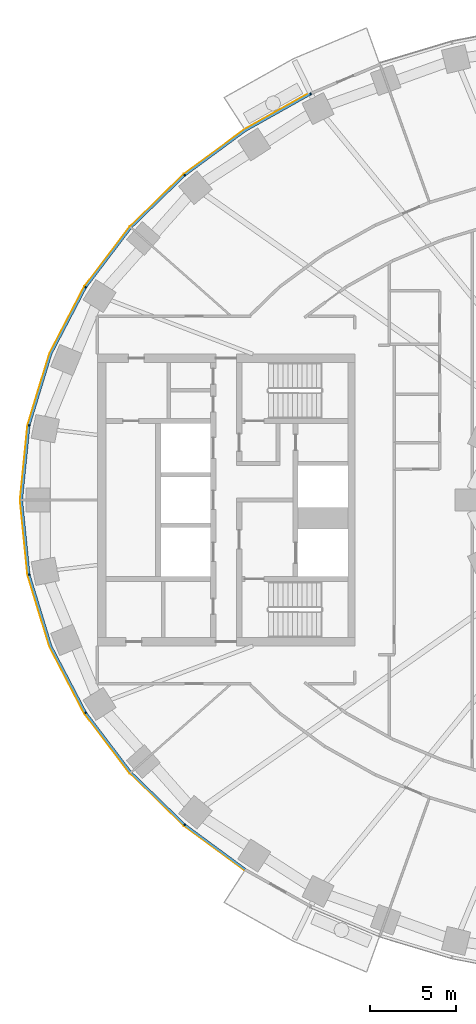
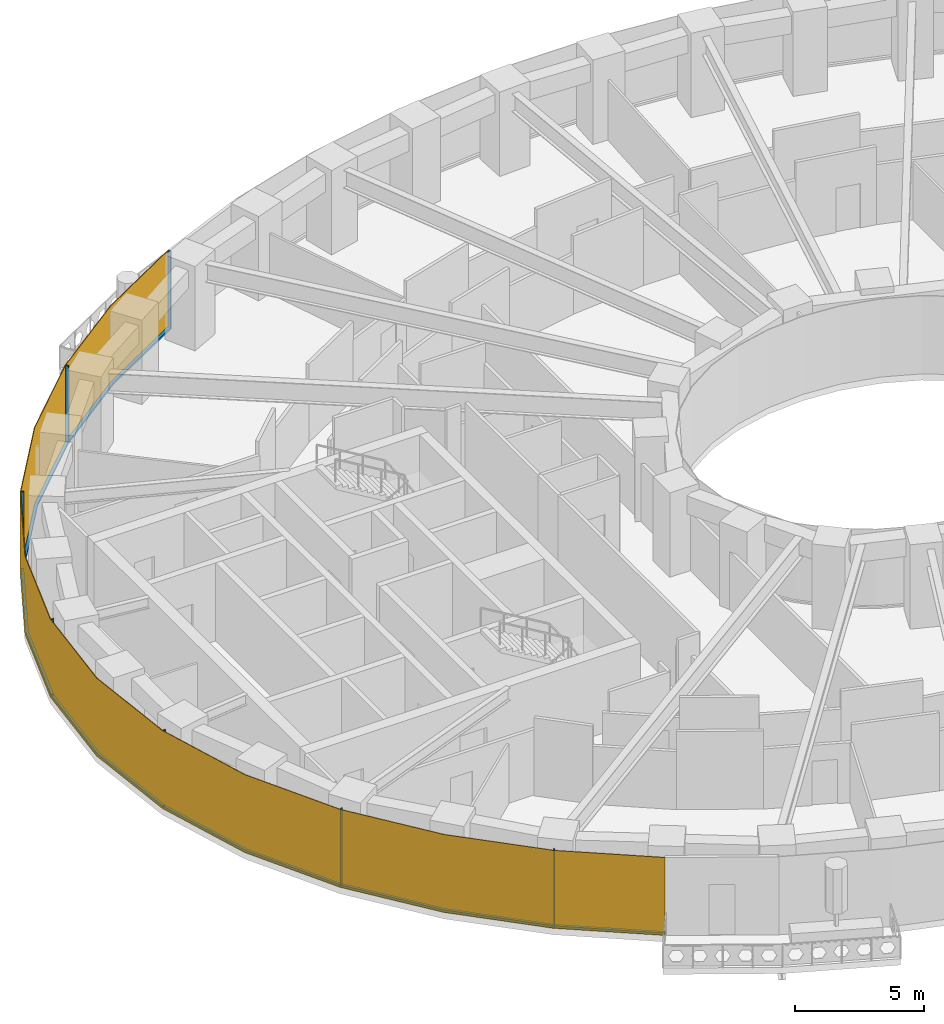
# One storey, part 9 of 16: 14 members, 1 curtain wall.
"""IFC4 building model written with IfcOpenShell, lengths in metres."""

import ifcopenshell
import ifcopenshell.guid

model = None  # the IFC model being written
_history = None  # IfcOwnerHistory: only IFC2X3 demands one
_inside = {}  # id of a spatial element -> (the spatial element, [elements in it])
_under = {}  # id of a project, library or spatial element -> (it, [spatial elements below it])
_declared = {}  # id of a project -> (the project, [libraries it declares])
_typed = {}  # id of a type object -> (the type object, [elements of that type])
_made_of = {}  # id of a material, layer set ... -> (it, [elements and type objects made of it])


def new_model(schema):
    """Start an empty IFC model of exactly this schema.

    Asked for "IFC4X3", IfcOpenShell would pick the latest addendum, in which some entities
    have other attributes; the version numbers below select the first issue.
    IFC2X3 requires an IfcOwnerHistory on every rooted entity: one is made here for all.
    """
    global model, _history
    if schema == "IFC4X3":
        model = ifcopenshell.file(schema_version=(4, 3, 0, 0))
    else:
        model = ifcopenshell.file(schema=schema)
    _inside.clear()
    _under.clear()
    _declared.clear()
    _typed.clear()
    _made_of.clear()
    _history = None
    if model.schema == "IFC2X3":
        org = make("IfcOrganization", Name="unknown")
        user = make(
            "IfcPersonAndOrganization",
            ThePerson=make("IfcPerson", FamilyName="unknown"),
            TheOrganization=org,
        )
        app = make(
            "IfcApplication",
            ApplicationDeveloper=org,
            Version="unknown",
            ApplicationFullName="unknown",
            ApplicationIdentifier="unknown",
        )
        _history = make(
            "IfcOwnerHistory",
            OwningUser=user,
            OwningApplication=app,
            ChangeAction="ADDED",
            CreationDate=0,
        )
    return model


def make(cls, **values):
    """One entity of the class cls with the attributes given. An attribute that is None is left unset."""
    return model.create_entity(
        cls, **{name: value for name, value in values.items() if value is not None}
    )


def rooted(cls, **values):
    """An entity with a GlobalId (a new one), such as an element, a storey or a relation."""
    return make(cls, GlobalId=ifcopenshell.guid.new(), OwnerHistory=_history, **values)


def si_unit(unit_type, name, prefix=None):
    """IfcSIUnit, for example si_unit("LENGTHUNIT", "METRE", prefix="MILLI")."""
    return make("IfcSIUnit", UnitType=unit_type, Prefix=prefix, Name=name)


def assignment(units):
    """IfcUnitAssignment: the units of a project."""
    return None if units is None else make("IfcUnitAssignment", Units=units)


def point(xyz):
    """IfcCartesianPoint."""
    return None if xyz is None else make("IfcCartesianPoint", Coordinates=xyz)


def direction(xyz):
    """IfcDirection."""
    return None if xyz is None else make("IfcDirection", DirectionRatios=xyz)


def frame(location, z_axis=None, x_axis=None):
    """IfcAxis2Placement3D, a coordinate frame: its origin and axes. An axis left out is left unset."""
    return make(
        "IfcAxis2Placement3D",
        Location=point(location),
        Axis=direction(z_axis),
        RefDirection=direction(x_axis),
    )


def frame_2d(location, x_axis=None):
    """IfcAxis2Placement2D, a coordinate frame in the plane: its origin and x axis."""
    return make(
        "IfcAxis2Placement2D", Location=point(location), RefDirection=direction(x_axis)
    )


def origin():
    """The frame at (0, 0, 0) with its axes left unset."""
    return frame((0.0, 0.0, 0.0))


def origin_2d():
    """The frame at (0, 0) in the plane with its x axis left unset."""
    return frame_2d((0.0, 0.0))


def place(relative_to, where):
    """IfcLocalPlacement: puts the frame where relative to a parent placement (None: the world)."""
    return make(
        "IfcLocalPlacement", PlacementRelTo=relative_to, RelativePlacement=where
    )


def context(
    kind, dimensions, precision=None, world=None, true_north=None, identifier=None
):
    """IfcGeometricRepresentationContext, for example the 3D "Model" context."""
    return make(
        "IfcGeometricRepresentationContext",
        ContextIdentifier=identifier,
        ContextType=kind,
        CoordinateSpaceDimension=dimensions,
        Precision=precision,
        WorldCoordinateSystem=world,
        TrueNorth=true_north,
    )


def subcontext(parent, identifier, kind, view, scale=None):
    """IfcGeometricRepresentationSubContext, for example "Body" below "Model"."""
    return make(
        "IfcGeometricRepresentationSubContext",
        ContextIdentifier=identifier,
        ContextType=kind,
        ParentContext=parent,
        TargetScale=scale,
        TargetView=view,
    )


def project(units=None, contexts=None):
    """IfcProject with its units and contexts."""
    return rooted(
        "IfcProject",
        Name="project",
        RepresentationContexts=contexts,
        UnitsInContext=assignment(units),
    )


def spatial(cls, under=None, at=None, **own):
    """A site, building, storey or space (cls), placed at a placement, below another one or the project."""
    s = rooted(cls, ObjectPlacement=at, **own)
    if under is not None:
        _under.setdefault(under.id(), (under, []))[1].append(s)
    return s


def polyline(points):
    """IfcPolyline through the points."""
    return make("IfcPolyline", Points=[point(p) for p in points])


def profile(cls, at=None, kind="AREA", **sizes):
    """A parametric profile (cls). Its sizes go by their IFC names, for example OverallWidth=200.0."""
    return make(cls, ProfileType=kind, Position=at, **sizes)


def rectangle(**sizes):
    """IfcRectangleProfileDef."""
    return profile("IfcRectangleProfileDef", **sizes)


def outline(outer, holes=None, kind="AREA"):
    """IfcArbitraryClosedProfileDef: a profile drawn as a closed curve; with holes, ...WithVoids."""
    if holes is None:
        return make("IfcArbitraryClosedProfileDef", ProfileType=kind, OuterCurve=outer)
    return make(
        "IfcArbitraryProfileDefWithVoids",
        ProfileType=kind,
        OuterCurve=outer,
        InnerCurves=holes,
    )


def extrude(swept, where, along, depth):
    """IfcExtrudedAreaSolid: the profile swept, set in the frame where, extruded along a direction by depth."""
    return make(
        "IfcExtrudedAreaSolid",
        SweptArea=swept,
        Position=where,
        ExtrudedDirection=direction(along),
        Depth=depth,
    )


def shape(context_of_items, identifier, shape_type, items):
    """IfcShapeRepresentation: the items that make up one representation, for example the "Body"."""
    return make(
        "IfcShapeRepresentation",
        ContextOfItems=context_of_items,
        RepresentationIdentifier=identifier,
        RepresentationType=shape_type,
        Items=items,
    )


def material(Name=None, Category=None):
    """IfcMaterial."""
    return make("IfcMaterial", Name=Name, Category=Category)


def layer(
    of_material, thickness, ventilated=None, Name=None, Category=None, Priority=None
):
    """IfcMaterialLayer: one layer of a wall or slab, of a material (None: an air gap)."""
    return make(
        "IfcMaterialLayer",
        Material=of_material,
        LayerThickness=thickness,
        IsVentilated=ventilated,
        Name=Name,
        Category=Category,
        Priority=Priority,
    )


def layer_set(layers, Name=None):
    """IfcMaterialLayerSet."""
    return make("IfcMaterialLayerSet", MaterialLayers=layers, LayerSetName=Name)


def material_profile(
    of_material, cross_section, Name=None, Category=None, Priority=None
):
    """IfcMaterialProfile: a cross section and its material."""
    return make(
        "IfcMaterialProfile",
        Name=Name,
        Material=of_material,
        Profile=cross_section,
        Priority=Priority,
        Category=Category,
    )


def profile_set(profiles, Name=None, composite=None):
    """IfcMaterialProfileSet."""
    return make(
        "IfcMaterialProfileSet",
        Name=Name,
        MaterialProfiles=profiles,
        CompositeProfile=composite,
    )


def made_of(thing, what):
    """Note that an element or type object is made of a material, layer set ...; save() writes the relation."""
    if what is not None:
        _made_of.setdefault(what.id(), (what, []))[1].append(thing)
    return thing


def type_object(cls, material=None, **own):
    """A type object (cls), such as IfcWallType, which elements share."""
    return made_of(rooted(cls, **own), material)


def element(
    cls,
    number,
    at=None,
    inside=None,
    cuts=None,
    type_object=None,
    material=None,
    context=None,
    identifier="Body",
    shape_type=None,
    held_by="IfcProductDefinitionShape",
    body=None,
    shapes=None,
    **own,
):
    """One element of the class cls, such as IfcWall. Its Tag is "e" and its number.

    at: its placement. inside: the storey or other place that contains it. cuts: it is an
    opening in that element (IfcRelVoidsElement). A single representation is given by context,
    identifier, shape_type and body (its items); several are given by shapes. held_by: the class
    of the entity that holds the representations. save() writes the other relations.
    """
    e = rooted(cls, Tag="e%d" % number, ObjectPlacement=at, **own)
    if body is not None:
        shapes = [shape(context, identifier, shape_type, body)]
    if shapes is not None:
        e.Representation = make(held_by, Representations=shapes)
    if inside is not None:
        _inside.setdefault(inside.id(), (inside, []))[1].append(e)
    if cuts is not None:
        rooted(
            "IfcRelVoidsElement", RelatingBuildingElement=cuts, RelatedOpeningElement=e
        )
    if type_object is not None:
        _typed.setdefault(type_object.id(), (type_object, []))[1].append(e)
    return made_of(e, material)


def aggregate(whole, parts):
    """IfcRelAggregates: a whole, such as a stair, and the parts it consists of."""
    return rooted("IfcRelAggregates", RelatingObject=whole, RelatedObjects=parts)


def save(model, path):
    """Write the relations noted so far, then the file.

    IfcRelAggregates (storeys below a building ...), IfcRelContainedInSpatialStructure (elements
    in a storey), IfcRelDefinesByType, IfcRelAssociatesMaterial and IfcRelDeclares: one each for
    every whole, place, type object, material and project.
    """
    for whole, parts in _under.values():
        aggregate(whole, parts)
    for where, things in _inside.values():
        rooted(
            "IfcRelContainedInSpatialStructure",
            RelatedElements=things,
            RelatingStructure=where,
        )
    for kind, things in _typed.values():
        rooted("IfcRelDefinesByType", RelatedObjects=things, RelatingType=kind)
    for what, things in _made_of.values():
        rooted("IfcRelAssociatesMaterial", RelatedObjects=things, RelatingMaterial=what)
    for by, libraries in _declared.values():
        rooted("IfcRelDeclares", RelatingContext=by, RelatedDefinitions=libraries)
    model.write(path)


model = new_model("IFC4")

# Units and contexts
model_context = context("Model", 3, precision=1e-05, world=origin(), true_north=direction((0.0, 1.0)))
body_context = subcontext(model_context, "Body", "Model", "MODEL_VIEW")
ifc_project = project(units=[si_unit("LENGTHUNIT", "METRE"), si_unit("AREAUNIT", "SQUARE_METRE"), si_unit("VOLUMEUNIT", "CUBIC_METRE"), si_unit("PLANEANGLEUNIT", "RADIAN"), si_unit("MASSUNIT", "GRAM", prefix="KILO")], contexts=[model_context])

# Member
ifc_material_1 = material(Name="Aluminium 6063-T6 black anodised", Category="aluminium")
ifc_material_profile = material_profile(ifc_material_1, rectangle(XDim=0.1201171875, YDim=0.06005859375, at=origin_2d()), Name="120x60")
ifc_profile_set = profile_set([ifc_material_profile], Name="Aluminium 6063-T6 black anodised")
member_type_1 = type_object("IfcMemberType", Name="ENV-MULLION-A-120", PredefinedType="MULLION", material=ifc_profile_set)
site_placement = place(None, origin())
building_placement = place(site_placement, origin())
storey_placement = place(building_placement, frame((0.0, 0.0, 74.5)))
member_1_placement = place(storey_placement, frame((-19.06787109375, 23.6474609375, 0.0), z_axis=(0.0, 0.0, 1.0), x_axis=(0.439237769837, -0.898370848563, 0.0)))
member_1 = element("IfcMember", 1, at=member_1_placement, type_object=member_type_1, Name="Mullion A radial 17", PredefinedType="MULLION", context=body_context, shape_type="SweptSolid", body=[
    extrude(rectangle(XDim=0.1201171875, YDim=0.06005859375, at=origin_2d()), origin(), (0.0, 0.0, 1.0), 3.699951171875),
])

member_2_placement = place(storey_placement, frame((-26.403564453125, 18.9130859375, 0.0), z_axis=(0.0, 0.0, 1.0), x_axis=(0.646451313783, -0.762955240435, 0.0)))
member_2 = element("IfcMember", 2, at=member_2_placement, type_object=member_type_1, Name="Mullion A radial 19", PredefinedType="MULLION", context=body_context, shape_type="SweptSolid", body=[
    extrude(rectangle(XDim=0.1201171875, YDim=0.06005859375, at=origin_2d()), origin(), (0.0, 0.0, 1.0), 3.699951171875),
])

member_3_placement = place(storey_placement, frame((-32.177490234375, 12.385498046875, 0.0), z_axis=(0.0, 0.0, 1.0), x_axis=(0.844829880882, -0.53503501976, 0.0)))
member_3 = element("IfcMember", 3, at=member_3_placement, type_object=member_type_1, Name="Mullion A radial 21", PredefinedType="MULLION", context=body_context, shape_type="SweptSolid", body=[
    extrude(rectangle(XDim=0.1201171875, YDim=0.06005859375, at=origin_2d()), origin(), (0.0, 0.0, 1.0), 3.699951171875),
])

member_4_placement = place(storey_placement, frame((-35.470947265625, 4.340576171875, 0.0), z_axis=(0.0, 0.0, 1.0), x_axis=(0.980379083141, -0.19712141776, 0.0)))
member_4 = element("IfcMember", 4, at=member_4_placement, type_object=member_type_1, Name="Mullion A radial 23", PredefinedType="MULLION", context=body_context, shape_type="SweptSolid", body=[
    extrude(rectangle(XDim=0.1201171875, YDim=0.06005859375, at=origin_2d()), origin(), (0.0, 0.0, 1.0), 3.699951171875),
])

member_5_placement = place(storey_placement, frame((-35.470947265625, -4.340576171875, 0.0), z_axis=(0.0, 0.0, 1.0), x_axis=(0.980379083141, 0.19712141776, 0.0)))
member_5 = element("IfcMember", 5, at=member_5_placement, type_object=member_type_1, Name="Mullion A radial 25", PredefinedType="MULLION", context=body_context, shape_type="SweptSolid", body=[
    extrude(rectangle(XDim=0.1201171875, YDim=0.06005859375, at=origin_2d()), origin(), (0.0, 0.0, 1.0), 3.699951171875),
])

member_6_placement = place(storey_placement, frame((-32.177490234375, -12.385498046875, 0.0), z_axis=(0.0, 0.0, 1.0), x_axis=(0.844829880882, 0.53503501976, 0.0)))
member_6 = element("IfcMember", 6, at=member_6_placement, type_object=member_type_1, Name="Mullion A radial 27", PredefinedType="MULLION", context=body_context, shape_type="SweptSolid", body=[
    extrude(rectangle(XDim=0.1201171875, YDim=0.06005859375, at=origin_2d()), origin(), (0.0, 0.0, 1.0), 3.699951171875),
])

member_7_placement = place(storey_placement, frame((-26.403564453125, -18.9130859375, 0.0), z_axis=(0.0, 0.0, 1.0), x_axis=(0.646451313783, 0.762955240435, 0.0)))
member_7 = element("IfcMember", 7, at=member_7_placement, type_object=member_type_1, Name="Mullion A radial 29", PredefinedType="MULLION", context=body_context, shape_type="SweptSolid", body=[
    extrude(rectangle(XDim=0.1201171875, YDim=0.06005859375, at=origin_2d()), origin(), (0.0, 0.0, 1.0), 3.699951171875),
])

ifc_material_2 = material(Name="Aluminium 6063-T6 black anodised", Category="aluminium")
member_type_2 = type_object("IfcMemberType", Name="ENV-TRANSOM-A", PredefinedType="USERDEFINED", material=ifc_material_2)
member_8_placement = place(storey_placement, origin())
member_8 = element("IfcMember", 8, at=member_8_placement, type_object=member_type_2, Name="Transom A radial 17-19", ObjectType="TRANSOM", PredefinedType="USERDEFINED", context=body_context, shape_type="SweptSolid", body=[
    extrude(outline(polyline([(-19.11865234375, 23.687744140625), (-22.9150390625, 21.556884765625), (-26.419921875, 18.975341796875), (-26.342041015625, 18.883544921875), (-22.85009765625, 21.455810546875), (-19.06591796875, 23.57958984375), (-19.11865234375, 23.687744140625)])), origin(), (0.0, 0.0, 1.0), 0.10009765625),
])

member_9_placement = place(storey_placement, origin())
member_9 = element("IfcMember", 9, at=member_9_placement, type_object=member_type_2, Name="Transom A radial 19-21", ObjectType="TRANSOM", PredefinedType="USERDEFINED", context=body_context, shape_type="SweptSolid", body=[
    extrude(outline(polyline([(-26.46240234375, 18.939208984375), (-29.58349609375, 15.906982421875), (-32.211181640625, 12.43994140625), (-32.109375, 12.37548828125), (-29.493408203125, 15.8271484375), (-26.384765625, 18.847412109375), (-26.46240234375, 18.939208984375)])), origin(), (0.0, 0.0, 1.0), 0.10009765625),
])

member_10_placement = place(storey_placement, origin())
member_10 = element("IfcMember", 10, at=member_10_placement, type_object=member_type_2, Name="Transom A radial 21-23", ObjectType="TRANSOM", PredefinedType="USERDEFINED", context=body_context, shape_type="SweptSolid", body=[
    extrude(outline(polyline([(-32.240966796875, 12.392578125), (-34.251220703125, 8.53662109375), (-35.521484375, 4.379150390625), (-35.4033203125, 4.355224609375), (-34.139892578125, 8.490966796875), (-32.139404296875, 12.328369140625), (-32.240966796875, 12.392578125)])), origin(), (0.0, 0.0, 1.0), 0.10009765625),
])

member_11_placement = place(storey_placement, origin())
member_11 = element("IfcMember", 11, at=member_11_placement, type_object=member_type_2, Name="Transom A radial 23-25", ObjectType="TRANSOM", PredefinedType="USERDEFINED", context=body_context, shape_type="SweptSolid", body=[
    extrude(outline(polyline([(-35.532470703125, 4.324462890625), (-35.9677734375, 0.0), (-35.532470703125, -4.324462890625), (-35.414306640625, -4.30078125), (-35.84716796875, 0.0), (-35.414306640625, 4.30078125), (-35.532470703125, 4.324462890625)])), origin(), (0.0, 0.0, 1.0), 0.10009765625),
])

member_12_placement = place(storey_placement, origin())
member_12 = element("IfcMember", 12, at=member_12_placement, type_object=member_type_2, Name="Transom A radial 25-27", ObjectType="TRANSOM", PredefinedType="USERDEFINED", context=body_context, shape_type="SweptSolid", body=[
    extrude(outline(polyline([(-35.521484375, -4.379150390625), (-34.251220703125, -8.53662109375), (-32.240966796875, -12.392578125), (-32.139404296875, -12.328369140625), (-34.139892578125, -8.490966796875), (-35.4033203125, -4.355224609375), (-35.521484375, -4.379150390625)])), origin(), (0.0, 0.0, 1.0), 0.10009765625),
])

member_13_placement = place(storey_placement, origin())
member_13 = element("IfcMember", 13, at=member_13_placement, type_object=member_type_2, Name="Transom A radial 27-29", ObjectType="TRANSOM", PredefinedType="USERDEFINED", context=body_context, shape_type="SweptSolid", body=[
    extrude(outline(polyline([(-32.211181640625, -12.43994140625), (-29.58349609375, -15.906982421875), (-26.46240234375, -18.939208984375), (-26.384765625, -18.847412109375), (-29.493408203125, -15.8271484375), (-32.109375, -12.37548828125), (-32.211181640625, -12.43994140625)])), origin(), (0.0, 0.0, 1.0), 0.10009765625),
])

member_14_placement = place(storey_placement, origin())
member_14 = element("IfcMember", 14, at=member_14_placement, type_object=member_type_2, Name="Transom A radial 29-30", ObjectType="TRANSOM", PredefinedType="USERDEFINED", context=body_context, shape_type="SweptSolid", body=[
    extrude(outline(polyline([(-26.419921875, -18.975341796875), (-22.931396484375, -21.544921875), (-22.8662109375, -21.444091796875), (-26.342041015625, -18.883544921875), (-26.419921875, -18.975341796875)])), origin(), (0.0, 0.0, 1.0), 0.10009765625),
])

# Site, building, storey
site = spatial("IfcSite", under=ifc_project, at=site_placement, CompositionType="ELEMENT")
building = spatial("IfcBuilding", under=site, at=building_placement, Name="Noorbagh Ring Tower", CompositionType="ELEMENT")
storey = spatial("IfcBuildingStorey", under=building, at=storey_placement, Name="L16", CompositionType="ELEMENT", Elevation=74.5)

# Curtain wall
ifc_material_3 = material(Name="Glass dark tinted laminated", Category="glass")
ifc_layer = layer(ifc_material_3, 0.031982421875)
ifc_layer_set = layer_set([ifc_layer], Name="Glass dark tinted laminated")
curtain_wall_type = type_object("IfcCurtainWallType", Name="ENV-CW-A", PredefinedType="NOTDEFINED", material=ifc_layer_set)
curtain_wall_placement = place(storey_placement, origin())
curtain_wall = element("IfcCurtainWall", 15, at=curtain_wall_placement, inside=storey, type_object=curtain_wall_type, Name="Curtain wall A R17", PredefinedType="NOTDEFINED", context=body_context, shape_type="SweptSolid", body=[
    extrude(outline(polyline([(-19.125732421875, 23.720458984375), (-22.9326171875, 21.583740234375), (-26.463134765625, 18.9833984375), (-29.607666015625, 15.927978515625), (-32.255126953125, 12.434814453125), (-34.281005859375, 8.548828125), (-35.561279296875, 4.358642578125), (-36.0, 0.0), (-35.561279296875, -4.358642578125), (-34.281005859375, -8.548828125), (-32.255126953125, -12.434814453125), (-29.607666015625, -15.927978515625), (-26.463134765625, -18.9833984375), (-22.948486328125, -21.572021484375), (-22.931396484375, -21.544921875), (-26.4423828125, -18.958740234375), (-29.58349609375, -15.906982421875), (-32.22802734375, -12.41748046875), (-34.251220703125, -8.53662109375), (-35.529541015625, -4.352294921875), (-35.9677734375, 0.0), (-35.529541015625, 4.352294921875), (-34.251220703125, 8.53662109375), (-32.22802734375, 12.41748046875), (-29.58349609375, 15.906982421875), (-26.4423828125, 18.958740234375), (-22.9150390625, 21.556884765625), (-19.111572265625, 23.691650390625), (-19.125732421875, 23.720458984375)])), origin(), (0.0, 0.0, 1.0), 3.699951171875),
])

aggregate(curtain_wall, [member_1, member_2, member_3, member_4, member_5, member_6, member_7, member_8, member_9, member_10, member_11, member_12, member_13, member_14])

save(model, "model.ifc")
